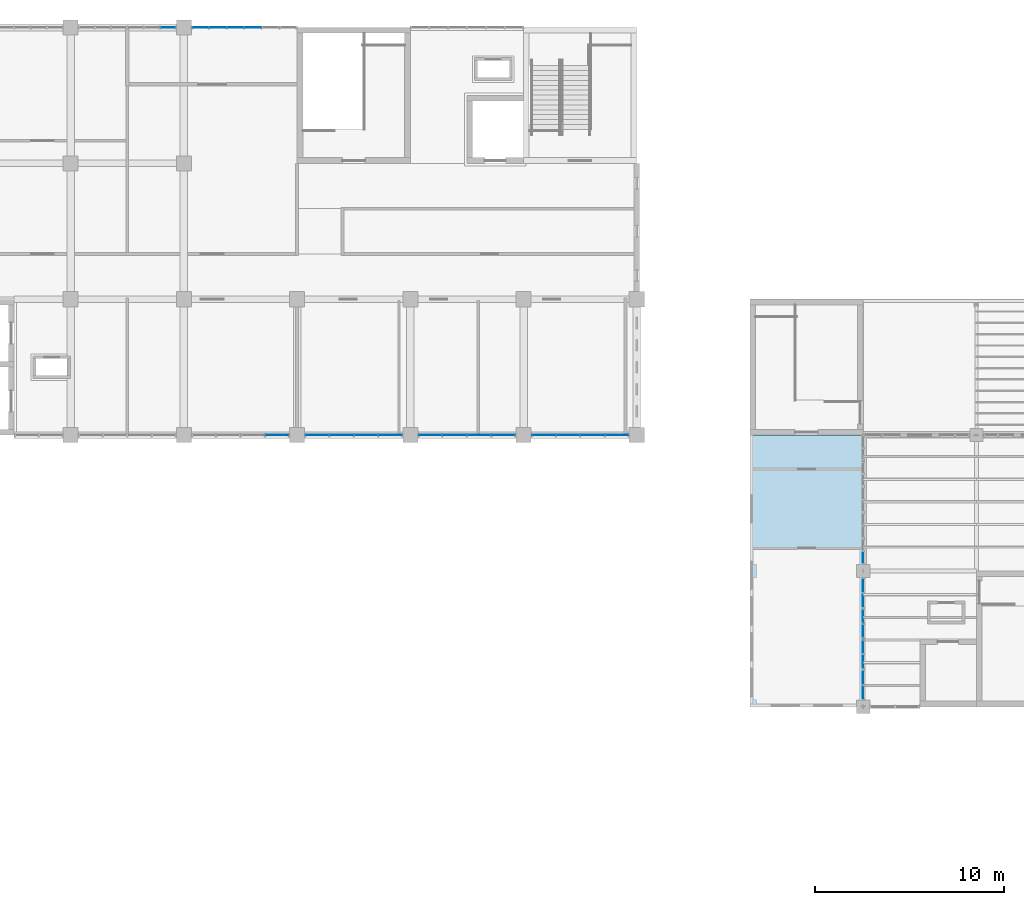
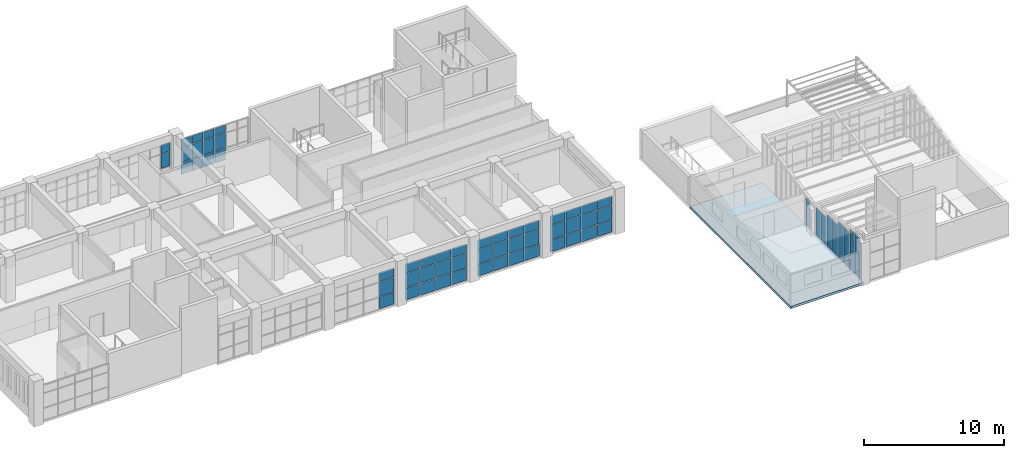
# One storey, part 33 of 51: 62 plates, 1 slab, 11 elements without a shape of their own.
"""IFC4 building model written with IfcOpenShell, lengths in metres."""

from ifc_helpers import new_model, si_unit, direction, frame, origin, origin_2d, place, context, subcontext, project, spatial, polyline, rectangle, outline, extrude, material, layer, layer_set, type_object, element, aggregate, save


model = new_model("IFC4")

# Units and contexts
model_context = context("Model", 3, precision=1e-05, world=origin(), true_north=direction((0.0, 1.0)))
body_context = subcontext(model_context, "Body", "Model", "MODEL_VIEW")
ifc_project = project(units=[si_unit("LENGTHUNIT", "METRE"), si_unit("AREAUNIT", "SQUARE_METRE"), si_unit("VOLUMEUNIT", "CUBIC_METRE"), si_unit("PLANEANGLEUNIT", "RADIAN"), si_unit("MASSUNIT", "GRAM", prefix="KILO")], contexts=[model_context])

# Site, building, storey
site_placement = place(None, origin())
site = spatial("IfcSite", under=ifc_project, at=site_placement, CompositionType="ELEMENT")
building_placement = place(site_placement, origin())
building = spatial("IfcBuilding", under=site, at=building_placement, Name="Laocheng Heights Fire and Rescue Headquarters", CompositionType="ELEMENT")
storey_placement = place(building_placement, frame((0.0, 0.0, 21.0)))
storey = spatial("IfcBuildingStorey", under=building, at=storey_placement, Name="L05", CompositionType="ELEMENT", Elevation=21.0)

# Curtain wall, plate
ifc_material_1 = material(Name="Dark anodised aluminium unitised curtain wall, low-e double glazing", Category="aluminium")
curtain_wall_type_1 = type_object("IfcCurtainWallType", Name="CW 5200 x 3250 HQ SOUTH RIBBON", PredefinedType="NOTDEFINED", material=ifc_material_1)
curtain_wall_1_placement = place(storey_placement, origin())
curtain_wall_1 = element("IfcCurtainWall", 1, at=curtain_wall_1_placement, inside=storey, type_object=curtain_wall_type_1, Name="X16-X HQ SOUTH L05", PredefinedType="NOTDEFINED")
ifc_material_2 = material(Name="Laminated safety glass, low-e double glazed unit", Category="glass")
ifc_layer_1 = layer(ifc_material_2, 0.0400390625)
ifc_layer_set_1 = layer_set([ifc_layer_1], Name="Laminated safety glass, low-e double glazed unit")
plate_type_1 = type_object("IfcPlateType", Name="CW LAMINATED SAFETY PANEL 40 X", PredefinedType="CURTAIN_PANEL", material=ifc_layer_set_1)
plate_1_placement = place(storey_placement, frame((64.93505859375, 50.39990234375, 0.050048828125), z_axis=(0.0, 0.0, 1.0), x_axis=(1.0, 0.0, 0.0)))
plate_1 = element("IfcPlate", 2, at=plate_1_placement, type_object=plate_type_1, Name="X16-X panel 4.1", PredefinedType="CURTAIN_PANEL", context=body_context, shape_type="SweptSolid", body=[
    extrude(rectangle(XDim=1.2099609375, YDim=0.0400390625, at=origin_2d()), origin(), (0.0, 0.0, 1.0), 1.02490234375),
])

# Curtain wall, plates
curtain_wall_2_placement = place(storey_placement, origin())
curtain_wall_2 = element("IfcCurtainWall", 3, at=curtain_wall_2_placement, inside=storey, type_object=curtain_wall_type_1, Name="X16-X HQ SOUTH L05", PredefinedType="NOTDEFINED")
plate_2_placement = place(storey_placement, frame((67.06494140625, 50.39990234375, 0.050048828125), z_axis=(0.0, 0.0, 1.0), x_axis=(1.0, 0.0, 0.0)))
plate_2 = element("IfcPlate", 4, at=plate_2_placement, type_object=plate_type_1, Name="X16-X panel 1.1", PredefinedType="CURTAIN_PANEL", context=body_context, shape_type="SweptSolid", body=[
    extrude(rectangle(XDim=1.2099609375, YDim=0.0400390625, at=origin_2d()), origin(), (0.0, 0.0, 1.0), 1.02490234375),
])
plate_3_placement = place(storey_placement, frame((68.35009765625, 50.39990234375, 0.050048828125), z_axis=(0.0, 0.0, 1.0), x_axis=(1.0, 0.0, 0.0)))
plate_3 = element("IfcPlate", 5, at=plate_3_placement, type_object=plate_type_1, Name="X16-X panel 2.1", PredefinedType="CURTAIN_PANEL", context=body_context, shape_type="SweptSolid", body=[
    extrude(rectangle(XDim=1.239990234375, YDim=0.0400390625, at=origin_2d()), origin(), (0.0, 0.0, 1.0), 1.02490234375),
])
plate_4_placement = place(storey_placement, frame((69.64990234375, 50.39990234375, 0.050048828125), z_axis=(0.0, 0.0, 1.0), x_axis=(1.0, 0.0, 0.0)))
plate_4 = element("IfcPlate", 6, at=plate_4_placement, type_object=plate_type_1, Name="X16-X panel 3.1", PredefinedType="CURTAIN_PANEL", context=body_context, shape_type="SweptSolid", body=[
    extrude(rectangle(XDim=1.239990234375, YDim=0.0400390625, at=origin_2d()), origin(), (0.0, 0.0, 1.0), 1.02490234375),
])
plate_5_placement = place(storey_placement, frame((70.93505859375, 50.39990234375, 0.050048828125), z_axis=(0.0, 0.0, 1.0), x_axis=(1.0, 0.0, 0.0)))
plate_5 = element("IfcPlate", 7, at=plate_5_placement, type_object=plate_type_1, Name="X16-X panel 4.1", PredefinedType="CURTAIN_PANEL", context=body_context, shape_type="SweptSolid", body=[
    extrude(rectangle(XDim=1.2099609375, YDim=0.0400390625, at=origin_2d()), origin(), (0.0, 0.0, 1.0), 1.02490234375),
])

curtain_wall_3_placement = place(storey_placement, origin())
curtain_wall_3 = element("IfcCurtainWall", 8, at=curtain_wall_3_placement, inside=storey, type_object=curtain_wall_type_1, Name="X16-X HQ SOUTH L05", PredefinedType="NOTDEFINED")
plate_6_placement = place(storey_placement, frame((73.06494140625, 50.39990234375, 0.050048828125), z_axis=(0.0, 0.0, 1.0), x_axis=(1.0, 0.0, 0.0)))
plate_6 = element("IfcPlate", 9, at=plate_6_placement, type_object=plate_type_1, Name="X16-X panel 1.1", PredefinedType="CURTAIN_PANEL", context=body_context, shape_type="SweptSolid", body=[
    extrude(rectangle(XDim=1.2099609375, YDim=0.0400390625, at=origin_2d()), origin(), (0.0, 0.0, 1.0), 1.02490234375),
])
plate_7_placement = place(storey_placement, frame((74.35009765625, 50.39990234375, 0.050048828125), z_axis=(0.0, 0.0, 1.0), x_axis=(1.0, 0.0, 0.0)))
plate_7 = element("IfcPlate", 10, at=plate_7_placement, type_object=plate_type_1, Name="X16-X panel 2.1", PredefinedType="CURTAIN_PANEL", context=body_context, shape_type="SweptSolid", body=[
    extrude(rectangle(XDim=1.239990234375, YDim=0.0400390625, at=origin_2d()), origin(), (0.0, 0.0, 1.0), 1.02490234375),
])
plate_8_placement = place(storey_placement, frame((75.64990234375, 50.39990234375, 0.050048828125), z_axis=(0.0, 0.0, 1.0), x_axis=(1.0, 0.0, 0.0)))
plate_8 = element("IfcPlate", 11, at=plate_8_placement, type_object=plate_type_1, Name="X16-X panel 3.1", PredefinedType="CURTAIN_PANEL", context=body_context, shape_type="SweptSolid", body=[
    extrude(rectangle(XDim=1.239990234375, YDim=0.0400390625, at=origin_2d()), origin(), (0.0, 0.0, 1.0), 1.02490234375),
])
plate_9_placement = place(storey_placement, frame((76.93505859375, 50.39990234375, 0.050048828125), z_axis=(0.0, 0.0, 1.0), x_axis=(1.0, 0.0, 0.0)))
plate_9 = element("IfcPlate", 12, at=plate_9_placement, type_object=plate_type_1, Name="X16-X panel 4.1", PredefinedType="CURTAIN_PANEL", context=body_context, shape_type="SweptSolid", body=[
    extrude(rectangle(XDim=1.2099609375, YDim=0.0400390625, at=origin_2d()), origin(), (0.0, 0.0, 1.0), 1.02490234375),
])

curtain_wall_4_placement = place(storey_placement, origin())
curtain_wall_4 = element("IfcCurtainWall", 13, at=curtain_wall_4_placement, inside=storey, type_object=curtain_wall_type_1, Name="X16-X HQ SOUTH L05", PredefinedType="NOTDEFINED")
plate_10_placement = place(storey_placement, frame((79.06494140625, 50.39990234375, 0.050048828125), z_axis=(0.0, 0.0, 1.0), x_axis=(1.0, 0.0, 0.0)))
plate_10 = element("IfcPlate", 14, at=plate_10_placement, type_object=plate_type_1, Name="X16-X panel 1.1", PredefinedType="CURTAIN_PANEL", context=body_context, shape_type="SweptSolid", body=[
    extrude(rectangle(XDim=1.2099609375, YDim=0.0400390625, at=origin_2d()), origin(), (0.0, 0.0, 1.0), 1.02490234375),
])
plate_11_placement = place(storey_placement, frame((80.35009765625, 50.39990234375, 0.050048828125), z_axis=(0.0, 0.0, 1.0), x_axis=(1.0, 0.0, 0.0)))
plate_11 = element("IfcPlate", 15, at=plate_11_placement, type_object=plate_type_1, Name="X16-X panel 2.1", PredefinedType="CURTAIN_PANEL", context=body_context, shape_type="SweptSolid", body=[
    extrude(rectangle(XDim=1.239990234375, YDim=0.0400390625, at=origin_2d()), origin(), (0.0, 0.0, 1.0), 1.02490234375),
])
plate_12_placement = place(storey_placement, frame((81.64990234375, 50.39990234375, 0.050048828125), z_axis=(0.0, 0.0, 1.0), x_axis=(1.0, 0.0, 0.0)))
plate_12 = element("IfcPlate", 16, at=plate_12_placement, type_object=plate_type_1, Name="X16-X panel 3.1", PredefinedType="CURTAIN_PANEL", context=body_context, shape_type="SweptSolid", body=[
    extrude(rectangle(XDim=1.239990234375, YDim=0.0400390625, at=origin_2d()), origin(), (0.0, 0.0, 1.0), 1.02490234375),
])
plate_13_placement = place(storey_placement, frame((82.93505859375, 50.39990234375, 0.050048828125), z_axis=(0.0, 0.0, 1.0), x_axis=(1.0, 0.0, 0.0)))
plate_13 = element("IfcPlate", 17, at=plate_13_placement, type_object=plate_type_1, Name="X16-X panel 4.1", PredefinedType="CURTAIN_PANEL", context=body_context, shape_type="SweptSolid", body=[
    extrude(rectangle(XDim=1.2099609375, YDim=0.0400390625, at=origin_2d()), origin(), (0.0, 0.0, 1.0), 1.02490234375),
])

ifc_material_3 = material(Name="Dark anodised aluminium unitised curtain wall, low-e double glazing", Category="aluminium")
curtain_wall_type_2 = type_object("IfcCurtainWallType", Name="CW 5600 x 3150 HQ NORTH GLAZING", PredefinedType="NOTDEFINED", material=ifc_material_3)
curtain_wall_5_placement = place(storey_placement, origin())
curtain_wall_5 = element("IfcCurtainWall", 18, at=curtain_wall_5_placement, inside=storey, type_object=curtain_wall_type_2, Name="X27-X HQ NORTH L05", PredefinedType="NOTDEFINED")
plate_14_placement = place(storey_placement, frame((60.881591796875, 72.0, 0.050048828125), z_axis=(0.0, 0.0, 1.0), x_axis=(1.0, 0.0, 0.0)))
plate_14 = element("IfcPlate", 19, at=plate_14_placement, type_object=plate_type_1, Name="X27-X panel 1.1", PredefinedType="CURTAIN_PANEL", context=body_context, shape_type="SweptSolid", body=[
    extrude(rectangle(XDim=0.84326171875, YDim=0.0400390625, at=origin_2d()), origin(), (0.0, 0.0, 1.0), 1.02490234375),
])
plate_15_placement = place(storey_placement, frame((61.800048828125, 72.0, 0.050048828125), z_axis=(0.0, 0.0, 1.0), x_axis=(1.0, 0.0, 0.0)))
plate_15 = element("IfcPlate", 20, at=plate_15_placement, type_object=plate_type_1, Name="X27-X panel 2.1", PredefinedType="CURTAIN_PANEL", context=body_context, shape_type="SweptSolid", body=[
    extrude(rectangle(XDim=0.873291015625, YDim=0.0400390625, at=origin_2d()), origin(), (0.0, 0.0, 1.0), 1.02490234375),
])
plate_16_placement = place(storey_placement, frame((62.7333984375, 72.0, 0.050048828125), z_axis=(0.0, 0.0, 1.0), x_axis=(1.0, 0.0, 0.0)))
plate_16 = element("IfcPlate", 21, at=plate_16_placement, type_object=plate_type_1, Name="X27-X panel 3.1", PredefinedType="CURTAIN_PANEL", context=body_context, shape_type="SweptSolid", body=[
    extrude(rectangle(XDim=0.873291015625, YDim=0.0400390625, at=origin_2d()), origin(), (0.0, 0.0, 1.0), 1.02490234375),
])
plate_17_placement = place(storey_placement, frame((63.666748046875, 72.0, 0.050048828125), z_axis=(0.0, 0.0, 1.0), x_axis=(1.0, 0.0, 0.0)))
plate_17 = element("IfcPlate", 22, at=plate_17_placement, type_object=plate_type_1, Name="X27-X panel 4.1", PredefinedType="CURTAIN_PANEL", context=body_context, shape_type="SweptSolid", body=[
    extrude(rectangle(XDim=0.873291015625, YDim=0.0400390625, at=origin_2d()), origin(), (0.0, 0.0, 1.0), 1.02490234375),
])

ifc_material_4 = material(Name="Dark anodised aluminium unitised curtain wall, low-e double glazing", Category="aluminium")
curtain_wall_type_3 = type_object("IfcCurtainWallType", Name="CW 1625 x 3590 CREW LOUNGE END UNIT", PredefinedType="NOTDEFINED", material=ifc_material_4)
curtain_wall_6_placement = place(storey_placement, origin())
curtain_wall_6 = element("IfcCurtainWall", 23, at=curtain_wall_6_placement, inside=storey, type_object=curtain_wall_type_3, Name="X12-W CREW LOUNGE WEST 36 1", PredefinedType="NOTDEFINED")
ifc_material_5 = material(Name="Low-e double glazed unit, laminated inner pane")
ifc_layer_2 = layer(ifc_material_5, 0.028076171875)
ifc_layer_set_2 = layer_set([ifc_layer_2], Name="Low-e double glazed unit, laminated inner pane")
plate_type_2 = type_object("IfcPlateType", Name="CW VISION PANEL 28 W", PredefinedType="CURTAIN_PANEL", material=ifc_layer_set_2)
plate_18_placement = place(storey_placement, frame((96.0, 36.771240234375, 0.05029296875), z_axis=(0.0, 0.0, 1.0), x_axis=(0.0, 1.0, 0.0)))
plate_18 = element("IfcPlate", 24, at=plate_18_placement, type_object=plate_type_2, Name="X12-W panel 1.1", PredefinedType="CURTAIN_PANEL", context=body_context, shape_type="SweptSolid", body=[
    extrude(rectangle(XDim=0.722412109375, YDim=0.028076171875, at=origin_2d()), origin(), (0.0, 0.0, 1.0), 3.489990234375),
])
plate_19_placement = place(storey_placement, frame((96.0, 37.5537109375, 0.05029296875), z_axis=(0.0, 0.0, 1.0), x_axis=(0.0, 1.0, 0.0)))
plate_19 = element("IfcPlate", 25, at=plate_19_placement, type_object=plate_type_2, Name="X12-W panel 2.1", PredefinedType="CURTAIN_PANEL", context=body_context, shape_type="SweptSolid", body=[
    extrude(rectangle(XDim=0.722412109375, YDim=0.028076171875, at=origin_2d()), origin(), (0.0, 0.0, 1.0), 3.489990234375),
])
aggregate(curtain_wall_6, [plate_18, plate_19])

ifc_material_6 = material(Name="Dark anodised aluminium unitised curtain wall, low-e double glazing", Category="aluminium")
curtain_wall_type_4 = type_object("IfcCurtainWallType", Name="CW 1625 x 3229 CREW LOUNGE END UNIT", PredefinedType="NOTDEFINED", material=ifc_material_6)
curtain_wall_7_placement = place(storey_placement, origin())
curtain_wall_7 = element("IfcCurtainWall", 26, at=curtain_wall_7_placement, inside=storey, type_object=curtain_wall_type_4, Name="X13-W CREW LOUNGE WEST 36 2", PredefinedType="NOTDEFINED")
plate_20_placement = place(storey_placement, frame((96.0, 38.396240234375, 0.050048828125), z_axis=(0.0, 0.0, 1.0), x_axis=(0.0, 1.0, 0.0)))
plate_20 = element("IfcPlate", 27, at=plate_20_placement, type_object=plate_type_2, Name="X13-W panel 1.1", PredefinedType="CURTAIN_PANEL", context=body_context, shape_type="SweptSolid", body=[
    extrude(rectangle(XDim=0.722412109375, YDim=0.028076171875, at=origin_2d()), origin(), (0.0, 0.0, 1.0), 3.12890625),
])
plate_21_placement = place(storey_placement, frame((96.0, 39.1787109375, 0.050048828125), z_axis=(0.0, 0.0, 1.0), x_axis=(0.0, 1.0, 0.0)))
plate_21 = element("IfcPlate", 28, at=plate_21_placement, type_object=plate_type_2, Name="X13-W panel 2.1", PredefinedType="CURTAIN_PANEL", context=body_context, shape_type="SweptSolid", body=[
    extrude(rectangle(XDim=0.722412109375, YDim=0.028076171875, at=origin_2d()), origin(), (0.0, 0.0, 1.0), 3.12890625),
])
aggregate(curtain_wall_7, [plate_20, plate_21])

ifc_material_7 = material(Name="Dark anodised aluminium unitised curtain wall, low-e double glazing", Category="aluminium")
curtain_wall_type_5 = type_object("IfcCurtainWallType", Name="CW 1625 x 2868 CREW LOUNGE END UNIT", PredefinedType="NOTDEFINED", material=ifc_material_7)
curtain_wall_8_placement = place(storey_placement, origin())
curtain_wall_8 = element("IfcCurtainWall", 29, at=curtain_wall_8_placement, inside=storey, type_object=curtain_wall_type_5, Name="X14-W CREW LOUNGE WEST 36 3", PredefinedType="NOTDEFINED")
plate_22_placement = place(storey_placement, frame((96.0, 40.021240234375, 0.0498046875), z_axis=(0.0, 0.0, 1.0), x_axis=(0.0, 1.0, 0.0)))
plate_22 = element("IfcPlate", 30, at=plate_22_placement, type_object=plate_type_2, Name="X14-W panel 1.1", PredefinedType="CURTAIN_PANEL", context=body_context, shape_type="SweptSolid", body=[
    extrude(rectangle(XDim=0.722412109375, YDim=0.028076171875, at=origin_2d()), origin(), (0.0, 0.0, 1.0), 2.767822265625),
])
plate_23_placement = place(storey_placement, frame((96.0, 40.8037109375, 0.0498046875), z_axis=(0.0, 0.0, 1.0), x_axis=(0.0, 1.0, 0.0)))
plate_23 = element("IfcPlate", 31, at=plate_23_placement, type_object=plate_type_2, Name="X14-W panel 2.1", PredefinedType="CURTAIN_PANEL", context=body_context, shape_type="SweptSolid", body=[
    extrude(rectangle(XDim=0.722412109375, YDim=0.028076171875, at=origin_2d()), origin(), (0.0, 0.0, 1.0), 2.767822265625),
])
aggregate(curtain_wall_8, [plate_22, plate_23])

ifc_material_8 = material(Name="Dark anodised aluminium unitised curtain wall, low-e double glazing", Category="aluminium")
curtain_wall_type_6 = type_object("IfcCurtainWallType", Name="CW 1625 x 2507 CREW LOUNGE END UNIT", PredefinedType="NOTDEFINED", material=ifc_material_8)
curtain_wall_9_placement = place(storey_placement, origin())
curtain_wall_9 = element("IfcCurtainWall", 32, at=curtain_wall_9_placement, inside=storey, type_object=curtain_wall_type_6, Name="X15-W CREW LOUNGE WEST 36 4", PredefinedType="NOTDEFINED")
plate_24_placement = place(storey_placement, frame((96.0, 41.646240234375, 0.050048828125), z_axis=(0.0, 0.0, 1.0), x_axis=(0.0, 1.0, 0.0)))
plate_24 = element("IfcPlate", 33, at=plate_24_placement, type_object=plate_type_2, Name="X15-W panel 1.1", PredefinedType="CURTAIN_PANEL", context=body_context, shape_type="SweptSolid", body=[
    extrude(rectangle(XDim=0.722412109375, YDim=0.028076171875, at=origin_2d()), origin(), (0.0, 0.0, 1.0), 2.40673828125),
])
plate_25_placement = place(storey_placement, frame((96.0, 42.4287109375, 0.050048828125), z_axis=(0.0, 0.0, 1.0), x_axis=(0.0, 1.0, 0.0)))
plate_25 = element("IfcPlate", 34, at=plate_25_placement, type_object=plate_type_2, Name="X15-W panel 2.1", PredefinedType="CURTAIN_PANEL", context=body_context, shape_type="SweptSolid", body=[
    extrude(rectangle(XDim=0.722412109375, YDim=0.028076171875, at=origin_2d()), origin(), (0.0, 0.0, 1.0), 2.40673828125),
])
aggregate(curtain_wall_9, [plate_24, plate_25])

# Curtain wall, plate
ifc_material_9 = material(Name="Dark anodised aluminium unitised curtain wall, low-e double glazing", Category="aluminium")
curtain_wall_type_7 = type_object("IfcCurtainWallType", Name="CW 1370 x 2507 CREW LOUNGE END UNIT", PredefinedType="NOTDEFINED", material=ifc_material_9)
curtain_wall_10_placement = place(storey_placement, origin())
curtain_wall_10 = element("IfcCurtainWall", 35, at=curtain_wall_10_placement, inside=storey, type_object=curtain_wall_type_7, Name="X16-W CREW LOUNGE WEST 43 1", PredefinedType="NOTDEFINED")
plate_26_placement = place(storey_placement, frame((96.0, 43.907470703125, 0.050048828125), z_axis=(0.0, 0.0, 1.0), x_axis=(0.0, 1.0, 0.0)))
plate_26 = element("IfcPlate", 36, at=plate_26_placement, type_object=plate_type_2, Name="X16-W panel 1.1", PredefinedType="CURTAIN_PANEL", context=body_context, shape_type="SweptSolid", body=[
    extrude(rectangle(XDim=0.594970703125, YDim=0.028076171875, at=origin_2d()), origin(), (0.0, 0.0, 1.0), 2.40673828125),
])
aggregate(curtain_wall_10, [plate_26])

# Plate
ifc_material_10 = material(Name="Low-e double glazed unit, laminated inner pane")
ifc_layer_3 = layer(ifc_material_10, 0.028076171875)
ifc_layer_set_3 = layer_set([ifc_layer_3], Name="Low-e double glazed unit, laminated inner pane")
plate_type_3 = type_object("IfcPlateType", Name="CW VISION PANEL 28 X", PredefinedType="CURTAIN_PANEL", material=ifc_layer_set_3)
plate_27_placement = place(storey_placement, frame((64.93505859375, 50.39990234375, 1.125), z_axis=(0.0, 0.0, 1.0), x_axis=(1.0, 0.0, 0.0)))
plate_27 = element("IfcPlate", 37, at=plate_27_placement, type_object=plate_type_3, Name="X16-X panel 4.2", PredefinedType="CURTAIN_PANEL", context=body_context, shape_type="SweptSolid", body=[
    extrude(rectangle(XDim=1.2099609375, YDim=0.028076171875, at=origin_2d()), origin(), (0.0, 0.0, 1.0), 1.25),
])

plate_28_placement = place(storey_placement, frame((64.93505859375, 50.39990234375, 2.425048828125), z_axis=(0.0, 0.0, 1.0), x_axis=(1.0, 0.0, 0.0)))
plate_28 = element("IfcPlate", 38, at=plate_28_placement, type_object=plate_type_3, Name="X16-X panel 4.3", PredefinedType="CURTAIN_PANEL", context=body_context, shape_type="SweptSolid", body=[
    extrude(rectangle(XDim=1.2099609375, YDim=0.028076171875, at=origin_2d()), origin(), (0.0, 0.0, 1.0), 0.77490234375),
])

aggregate(curtain_wall_1, [plate_1, plate_27, plate_28])

plate_29_placement = place(storey_placement, frame((67.06494140625, 50.39990234375, 1.125), z_axis=(0.0, 0.0, 1.0), x_axis=(1.0, 0.0, 0.0)))
plate_29 = element("IfcPlate", 39, at=plate_29_placement, type_object=plate_type_3, Name="X16-X panel 1.2", PredefinedType="CURTAIN_PANEL", context=body_context, shape_type="SweptSolid", body=[
    extrude(rectangle(XDim=1.2099609375, YDim=0.028076171875, at=origin_2d()), origin(), (0.0, 0.0, 1.0), 1.25),
])

plate_30_placement = place(storey_placement, frame((67.06494140625, 50.39990234375, 2.425048828125), z_axis=(0.0, 0.0, 1.0), x_axis=(1.0, 0.0, 0.0)))
plate_30 = element("IfcPlate", 40, at=plate_30_placement, type_object=plate_type_3, Name="X16-X panel 1.3", PredefinedType="CURTAIN_PANEL", context=body_context, shape_type="SweptSolid", body=[
    extrude(rectangle(XDim=1.2099609375, YDim=0.028076171875, at=origin_2d()), origin(), (0.0, 0.0, 1.0), 0.77490234375),
])

plate_31_placement = place(storey_placement, frame((68.35009765625, 50.39990234375, 1.125), z_axis=(0.0, 0.0, 1.0), x_axis=(1.0, 0.0, 0.0)))
plate_31 = element("IfcPlate", 41, at=plate_31_placement, type_object=plate_type_3, Name="X16-X panel 2.2", PredefinedType="CURTAIN_PANEL", context=body_context, shape_type="SweptSolid", body=[
    extrude(rectangle(XDim=1.239990234375, YDim=0.028076171875, at=origin_2d()), origin(), (0.0, 0.0, 1.0), 1.25),
])

plate_32_placement = place(storey_placement, frame((68.35009765625, 50.39990234375, 2.425048828125), z_axis=(0.0, 0.0, 1.0), x_axis=(1.0, 0.0, 0.0)))
plate_32 = element("IfcPlate", 42, at=plate_32_placement, type_object=plate_type_3, Name="X16-X panel 2.3", PredefinedType="CURTAIN_PANEL", context=body_context, shape_type="SweptSolid", body=[
    extrude(rectangle(XDim=1.239990234375, YDim=0.028076171875, at=origin_2d()), origin(), (0.0, 0.0, 1.0), 0.77490234375),
])

plate_33_placement = place(storey_placement, frame((69.64990234375, 50.39990234375, 1.125), z_axis=(0.0, 0.0, 1.0), x_axis=(1.0, 0.0, 0.0)))
plate_33 = element("IfcPlate", 43, at=plate_33_placement, type_object=plate_type_3, Name="X16-X panel 3.2", PredefinedType="CURTAIN_PANEL", context=body_context, shape_type="SweptSolid", body=[
    extrude(rectangle(XDim=1.239990234375, YDim=0.028076171875, at=origin_2d()), origin(), (0.0, 0.0, 1.0), 1.25),
])

plate_34_placement = place(storey_placement, frame((69.64990234375, 50.39990234375, 2.425048828125), z_axis=(0.0, 0.0, 1.0), x_axis=(1.0, 0.0, 0.0)))
plate_34 = element("IfcPlate", 44, at=plate_34_placement, type_object=plate_type_3, Name="X16-X panel 3.3", PredefinedType="CURTAIN_PANEL", context=body_context, shape_type="SweptSolid", body=[
    extrude(rectangle(XDim=1.239990234375, YDim=0.028076171875, at=origin_2d()), origin(), (0.0, 0.0, 1.0), 0.77490234375),
])

plate_35_placement = place(storey_placement, frame((70.93505859375, 50.39990234375, 1.125), z_axis=(0.0, 0.0, 1.0), x_axis=(1.0, 0.0, 0.0)))
plate_35 = element("IfcPlate", 45, at=plate_35_placement, type_object=plate_type_3, Name="X16-X panel 4.2", PredefinedType="CURTAIN_PANEL", context=body_context, shape_type="SweptSolid", body=[
    extrude(rectangle(XDim=1.2099609375, YDim=0.028076171875, at=origin_2d()), origin(), (0.0, 0.0, 1.0), 1.25),
])

plate_36_placement = place(storey_placement, frame((70.93505859375, 50.39990234375, 2.425048828125), z_axis=(0.0, 0.0, 1.0), x_axis=(1.0, 0.0, 0.0)))
plate_36 = element("IfcPlate", 46, at=plate_36_placement, type_object=plate_type_3, Name="X16-X panel 4.3", PredefinedType="CURTAIN_PANEL", context=body_context, shape_type="SweptSolid", body=[
    extrude(rectangle(XDim=1.2099609375, YDim=0.028076171875, at=origin_2d()), origin(), (0.0, 0.0, 1.0), 0.77490234375),
])

aggregate(curtain_wall_2, [plate_2, plate_29, plate_30, plate_3, plate_31, plate_32, plate_4, plate_33, plate_34, plate_5, plate_35, plate_36])

plate_37_placement = place(storey_placement, frame((73.06494140625, 50.39990234375, 1.125), z_axis=(0.0, 0.0, 1.0), x_axis=(1.0, 0.0, 0.0)))
plate_37 = element("IfcPlate", 47, at=plate_37_placement, type_object=plate_type_3, Name="X16-X panel 1.2", PredefinedType="CURTAIN_PANEL", context=body_context, shape_type="SweptSolid", body=[
    extrude(rectangle(XDim=1.2099609375, YDim=0.028076171875, at=origin_2d()), origin(), (0.0, 0.0, 1.0), 1.25),
])

plate_38_placement = place(storey_placement, frame((73.06494140625, 50.39990234375, 2.425048828125), z_axis=(0.0, 0.0, 1.0), x_axis=(1.0, 0.0, 0.0)))
plate_38 = element("IfcPlate", 48, at=plate_38_placement, type_object=plate_type_3, Name="X16-X panel 1.3", PredefinedType="CURTAIN_PANEL", context=body_context, shape_type="SweptSolid", body=[
    extrude(rectangle(XDim=1.2099609375, YDim=0.028076171875, at=origin_2d()), origin(), (0.0, 0.0, 1.0), 0.77490234375),
])

plate_39_placement = place(storey_placement, frame((74.35009765625, 50.39990234375, 1.125), z_axis=(0.0, 0.0, 1.0), x_axis=(1.0, 0.0, 0.0)))
plate_39 = element("IfcPlate", 49, at=plate_39_placement, type_object=plate_type_3, Name="X16-X panel 2.2", PredefinedType="CURTAIN_PANEL", context=body_context, shape_type="SweptSolid", body=[
    extrude(rectangle(XDim=1.239990234375, YDim=0.028076171875, at=origin_2d()), origin(), (0.0, 0.0, 1.0), 1.25),
])

plate_40_placement = place(storey_placement, frame((74.35009765625, 50.39990234375, 2.425048828125), z_axis=(0.0, 0.0, 1.0), x_axis=(1.0, 0.0, 0.0)))
plate_40 = element("IfcPlate", 50, at=plate_40_placement, type_object=plate_type_3, Name="X16-X panel 2.3", PredefinedType="CURTAIN_PANEL", context=body_context, shape_type="SweptSolid", body=[
    extrude(rectangle(XDim=1.239990234375, YDim=0.028076171875, at=origin_2d()), origin(), (0.0, 0.0, 1.0), 0.77490234375),
])

plate_41_placement = place(storey_placement, frame((75.64990234375, 50.39990234375, 1.125), z_axis=(0.0, 0.0, 1.0), x_axis=(1.0, 0.0, 0.0)))
plate_41 = element("IfcPlate", 51, at=plate_41_placement, type_object=plate_type_3, Name="X16-X panel 3.2", PredefinedType="CURTAIN_PANEL", context=body_context, shape_type="SweptSolid", body=[
    extrude(rectangle(XDim=1.239990234375, YDim=0.028076171875, at=origin_2d()), origin(), (0.0, 0.0, 1.0), 1.25),
])

plate_42_placement = place(storey_placement, frame((75.64990234375, 50.39990234375, 2.425048828125), z_axis=(0.0, 0.0, 1.0), x_axis=(1.0, 0.0, 0.0)))
plate_42 = element("IfcPlate", 52, at=plate_42_placement, type_object=plate_type_3, Name="X16-X panel 3.3", PredefinedType="CURTAIN_PANEL", context=body_context, shape_type="SweptSolid", body=[
    extrude(rectangle(XDim=1.239990234375, YDim=0.028076171875, at=origin_2d()), origin(), (0.0, 0.0, 1.0), 0.77490234375),
])

plate_43_placement = place(storey_placement, frame((76.93505859375, 50.39990234375, 1.125), z_axis=(0.0, 0.0, 1.0), x_axis=(1.0, 0.0, 0.0)))
plate_43 = element("IfcPlate", 53, at=plate_43_placement, type_object=plate_type_3, Name="X16-X panel 4.2", PredefinedType="CURTAIN_PANEL", context=body_context, shape_type="SweptSolid", body=[
    extrude(rectangle(XDim=1.2099609375, YDim=0.028076171875, at=origin_2d()), origin(), (0.0, 0.0, 1.0), 1.25),
])

plate_44_placement = place(storey_placement, frame((76.93505859375, 50.39990234375, 2.425048828125), z_axis=(0.0, 0.0, 1.0), x_axis=(1.0, 0.0, 0.0)))
plate_44 = element("IfcPlate", 54, at=plate_44_placement, type_object=plate_type_3, Name="X16-X panel 4.3", PredefinedType="CURTAIN_PANEL", context=body_context, shape_type="SweptSolid", body=[
    extrude(rectangle(XDim=1.2099609375, YDim=0.028076171875, at=origin_2d()), origin(), (0.0, 0.0, 1.0), 0.77490234375),
])

aggregate(curtain_wall_3, [plate_6, plate_37, plate_38, plate_7, plate_39, plate_40, plate_8, plate_41, plate_42, plate_9, plate_43, plate_44])

plate_45_placement = place(storey_placement, frame((79.06494140625, 50.39990234375, 1.125), z_axis=(0.0, 0.0, 1.0), x_axis=(1.0, 0.0, 0.0)))
plate_45 = element("IfcPlate", 55, at=plate_45_placement, type_object=plate_type_3, Name="X16-X panel 1.2", PredefinedType="CURTAIN_PANEL", context=body_context, shape_type="SweptSolid", body=[
    extrude(rectangle(XDim=1.2099609375, YDim=0.028076171875, at=origin_2d()), origin(), (0.0, 0.0, 1.0), 1.25),
])

plate_46_placement = place(storey_placement, frame((79.06494140625, 50.39990234375, 2.425048828125), z_axis=(0.0, 0.0, 1.0), x_axis=(1.0, 0.0, 0.0)))
plate_46 = element("IfcPlate", 56, at=plate_46_placement, type_object=plate_type_3, Name="X16-X panel 1.3", PredefinedType="CURTAIN_PANEL", context=body_context, shape_type="SweptSolid", body=[
    extrude(rectangle(XDim=1.2099609375, YDim=0.028076171875, at=origin_2d()), origin(), (0.0, 0.0, 1.0), 0.77490234375),
])

plate_47_placement = place(storey_placement, frame((80.35009765625, 50.39990234375, 1.125), z_axis=(0.0, 0.0, 1.0), x_axis=(1.0, 0.0, 0.0)))
plate_47 = element("IfcPlate", 57, at=plate_47_placement, type_object=plate_type_3, Name="X16-X panel 2.2", PredefinedType="CURTAIN_PANEL", context=body_context, shape_type="SweptSolid", body=[
    extrude(rectangle(XDim=1.239990234375, YDim=0.028076171875, at=origin_2d()), origin(), (0.0, 0.0, 1.0), 1.25),
])

plate_48_placement = place(storey_placement, frame((80.35009765625, 50.39990234375, 2.425048828125), z_axis=(0.0, 0.0, 1.0), x_axis=(1.0, 0.0, 0.0)))
plate_48 = element("IfcPlate", 58, at=plate_48_placement, type_object=plate_type_3, Name="X16-X panel 2.3", PredefinedType="CURTAIN_PANEL", context=body_context, shape_type="SweptSolid", body=[
    extrude(rectangle(XDim=1.239990234375, YDim=0.028076171875, at=origin_2d()), origin(), (0.0, 0.0, 1.0), 0.77490234375),
])

plate_49_placement = place(storey_placement, frame((81.64990234375, 50.39990234375, 1.125), z_axis=(0.0, 0.0, 1.0), x_axis=(1.0, 0.0, 0.0)))
plate_49 = element("IfcPlate", 59, at=plate_49_placement, type_object=plate_type_3, Name="X16-X panel 3.2", PredefinedType="CURTAIN_PANEL", context=body_context, shape_type="SweptSolid", body=[
    extrude(rectangle(XDim=1.239990234375, YDim=0.028076171875, at=origin_2d()), origin(), (0.0, 0.0, 1.0), 1.25),
])

plate_50_placement = place(storey_placement, frame((81.64990234375, 50.39990234375, 2.425048828125), z_axis=(0.0, 0.0, 1.0), x_axis=(1.0, 0.0, 0.0)))
plate_50 = element("IfcPlate", 60, at=plate_50_placement, type_object=plate_type_3, Name="X16-X panel 3.3", PredefinedType="CURTAIN_PANEL", context=body_context, shape_type="SweptSolid", body=[
    extrude(rectangle(XDim=1.239990234375, YDim=0.028076171875, at=origin_2d()), origin(), (0.0, 0.0, 1.0), 0.77490234375),
])

plate_51_placement = place(storey_placement, frame((82.93505859375, 50.39990234375, 1.125), z_axis=(0.0, 0.0, 1.0), x_axis=(1.0, 0.0, 0.0)))
plate_51 = element("IfcPlate", 61, at=plate_51_placement, type_object=plate_type_3, Name="X16-X panel 4.2", PredefinedType="CURTAIN_PANEL", context=body_context, shape_type="SweptSolid", body=[
    extrude(rectangle(XDim=1.2099609375, YDim=0.028076171875, at=origin_2d()), origin(), (0.0, 0.0, 1.0), 1.25),
])

plate_52_placement = place(storey_placement, frame((82.93505859375, 50.39990234375, 2.425048828125), z_axis=(0.0, 0.0, 1.0), x_axis=(1.0, 0.0, 0.0)))
plate_52 = element("IfcPlate", 62, at=plate_52_placement, type_object=plate_type_3, Name="X16-X panel 4.3", PredefinedType="CURTAIN_PANEL", context=body_context, shape_type="SweptSolid", body=[
    extrude(rectangle(XDim=1.2099609375, YDim=0.028076171875, at=origin_2d()), origin(), (0.0, 0.0, 1.0), 0.77490234375),
])

aggregate(curtain_wall_4, [plate_10, plate_45, plate_46, plate_11, plate_47, plate_48, plate_12, plate_49, plate_50, plate_13, plate_51, plate_52])

# Curtain wall, plates
ifc_material_11 = material(Name="Dark anodised aluminium unitised curtain wall, low-e double glazing", Category="aluminium")
curtain_wall_type_8 = type_object("IfcCurtainWallType", Name="CW 5200 x 3250 HQ NORTH GLAZING", PredefinedType="NOTDEFINED", material=ifc_material_11)
curtain_wall_11_placement = place(storey_placement, origin())
curtain_wall_11 = element("IfcCurtainWall", 63, at=curtain_wall_11_placement, inside=storey, type_object=curtain_wall_type_8, Name="X26-X HQ NORTH L05", PredefinedType="NOTDEFINED")
plate_53_placement = place(storey_placement, frame((59.151611328125, 72.0, 1.125), z_axis=(0.0, 0.0, 1.0), x_axis=(1.0, 0.0, 0.0)))
plate_53 = element("IfcPlate", 64, at=plate_53_placement, type_object=plate_type_3, Name="X26-X panel 6.2", PredefinedType="CURTAIN_PANEL", context=body_context, shape_type="SweptSolid", body=[
    extrude(rectangle(XDim=0.776611328125, YDim=0.028076171875, at=origin_2d()), origin(), (0.0, 0.0, 1.0), 1.25),
])
plate_54_placement = place(storey_placement, frame((59.151611328125, 72.0, 2.425048828125), z_axis=(0.0, 0.0, 1.0), x_axis=(1.0, 0.0, 0.0)))
plate_54 = element("IfcPlate", 65, at=plate_54_placement, type_object=plate_type_3, Name="X26-X panel 6.3", PredefinedType="CURTAIN_PANEL", context=body_context, shape_type="SweptSolid", body=[
    extrude(rectangle(XDim=0.776611328125, YDim=0.028076171875, at=origin_2d()), origin(), (0.0, 0.0, 1.0), 0.77490234375),
])
aggregate(curtain_wall_11, [plate_53, plate_54])

# Plate
plate_55_placement = place(storey_placement, frame((60.881591796875, 72.0, 1.125), z_axis=(0.0, 0.0, 1.0), x_axis=(1.0, 0.0, 0.0)))
plate_55 = element("IfcPlate", 66, at=plate_55_placement, type_object=plate_type_3, Name="X27-X panel 1.2", PredefinedType="CURTAIN_PANEL", context=body_context, shape_type="SweptSolid", body=[
    extrude(rectangle(XDim=0.84326171875, YDim=0.028076171875, at=origin_2d()), origin(), (0.0, 0.0, 1.0), 1.25),
])

plate_56_placement = place(storey_placement, frame((60.881591796875, 72.0, 2.4248046875), z_axis=(0.0, 0.0, 1.0), x_axis=(1.0, 0.0, 0.0)))
plate_56 = element("IfcPlate", 67, at=plate_56_placement, type_object=plate_type_3, Name="X27-X panel 1.3", PredefinedType="CURTAIN_PANEL", context=body_context, shape_type="SweptSolid", body=[
    extrude(rectangle(XDim=0.84326171875, YDim=0.028076171875, at=origin_2d()), origin(), (0.0, 0.0, 1.0), 0.675048828125),
])

plate_57_placement = place(storey_placement, frame((61.800048828125, 72.0, 1.125), z_axis=(0.0, 0.0, 1.0), x_axis=(1.0, 0.0, 0.0)))
plate_57 = element("IfcPlate", 68, at=plate_57_placement, type_object=plate_type_3, Name="X27-X panel 2.2", PredefinedType="CURTAIN_PANEL", context=body_context, shape_type="SweptSolid", body=[
    extrude(rectangle(XDim=0.873291015625, YDim=0.028076171875, at=origin_2d()), origin(), (0.0, 0.0, 1.0), 1.25),
])

plate_58_placement = place(storey_placement, frame((61.800048828125, 72.0, 2.4248046875), z_axis=(0.0, 0.0, 1.0), x_axis=(1.0, 0.0, 0.0)))
plate_58 = element("IfcPlate", 69, at=plate_58_placement, type_object=plate_type_3, Name="X27-X panel 2.3", PredefinedType="CURTAIN_PANEL", context=body_context, shape_type="SweptSolid", body=[
    extrude(rectangle(XDim=0.873291015625, YDim=0.028076171875, at=origin_2d()), origin(), (0.0, 0.0, 1.0), 0.675048828125),
])

plate_59_placement = place(storey_placement, frame((62.7333984375, 72.0, 1.125), z_axis=(0.0, 0.0, 1.0), x_axis=(1.0, 0.0, 0.0)))
plate_59 = element("IfcPlate", 70, at=plate_59_placement, type_object=plate_type_3, Name="X27-X panel 3.2", PredefinedType="CURTAIN_PANEL", context=body_context, shape_type="SweptSolid", body=[
    extrude(rectangle(XDim=0.873291015625, YDim=0.028076171875, at=origin_2d()), origin(), (0.0, 0.0, 1.0), 1.25),
])

plate_60_placement = place(storey_placement, frame((62.7333984375, 72.0, 2.4248046875), z_axis=(0.0, 0.0, 1.0), x_axis=(1.0, 0.0, 0.0)))
plate_60 = element("IfcPlate", 71, at=plate_60_placement, type_object=plate_type_3, Name="X27-X panel 3.3", PredefinedType="CURTAIN_PANEL", context=body_context, shape_type="SweptSolid", body=[
    extrude(rectangle(XDim=0.873291015625, YDim=0.028076171875, at=origin_2d()), origin(), (0.0, 0.0, 1.0), 0.675048828125),
])

plate_61_placement = place(storey_placement, frame((63.666748046875, 72.0, 1.125), z_axis=(0.0, 0.0, 1.0), x_axis=(1.0, 0.0, 0.0)))
plate_61 = element("IfcPlate", 72, at=plate_61_placement, type_object=plate_type_3, Name="X27-X panel 4.2", PredefinedType="CURTAIN_PANEL", context=body_context, shape_type="SweptSolid", body=[
    extrude(rectangle(XDim=0.873291015625, YDim=0.028076171875, at=origin_2d()), origin(), (0.0, 0.0, 1.0), 1.25),
])

plate_62_placement = place(storey_placement, frame((63.666748046875, 72.0, 2.4248046875), z_axis=(0.0, 0.0, 1.0), x_axis=(1.0, 0.0, 0.0)))
plate_62 = element("IfcPlate", 73, at=plate_62_placement, type_object=plate_type_3, Name="X27-X panel 4.3", PredefinedType="CURTAIN_PANEL", context=body_context, shape_type="SweptSolid", body=[
    extrude(rectangle(XDim=0.873291015625, YDim=0.028076171875, at=origin_2d()), origin(), (0.0, 0.0, 1.0), 0.675048828125),
])

aggregate(curtain_wall_5, [plate_14, plate_55, plate_56, plate_15, plate_57, plate_58, plate_16, plate_59, plate_60, plate_17, plate_61, plate_62])

# Slab
ifc_material_12 = material(Name="Concrete C40", Category="concrete")
ifc_layer_4 = layer(ifc_material_12, 0.199951171875)
ifc_layer_set_4 = layer_set([ifc_layer_4], Name="Concrete C40")
slab_type = type_object("IfcSlabType", Name="RC GARDEN SLAB 200 CREW ROOF", PredefinedType="ROOF", material=ifc_layer_set_4)
slab_placement = place(storey_placement, frame((0.0, 0.0, -0.199951171875)))
element("IfcSlab", 74, at=slab_placement, inside=storey, type_object=slab_type, Name="Crew roof garden slab", PredefinedType="ROOF", context=body_context, shape_type="SweptSolid", body=[
    extrude(outline(polyline([(90.0, 36.0), (96.0, 36.0), (96.0, 50.39990234375), (90.0, 50.39990234375), (90.0, 36.0)])), origin(), (0.0, 0.0, 1.0), 0.199951171875),
])

save(model, "model.ifc")
